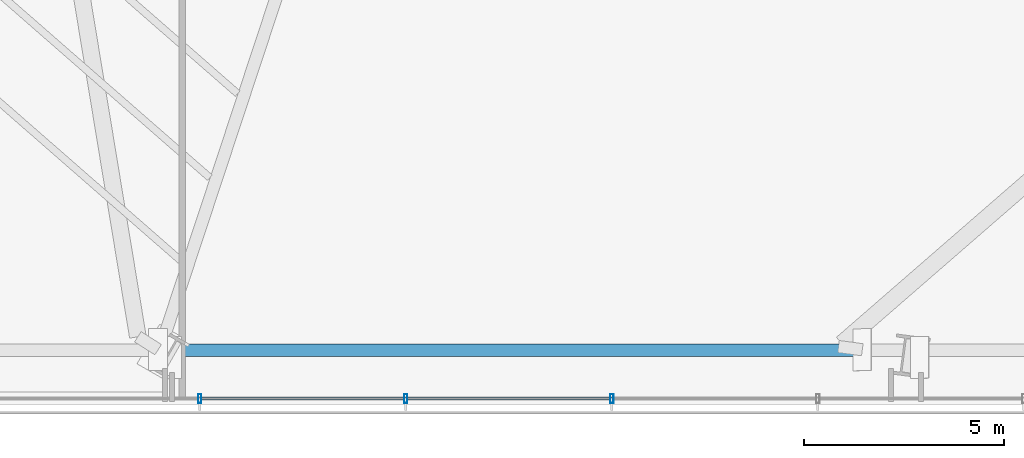
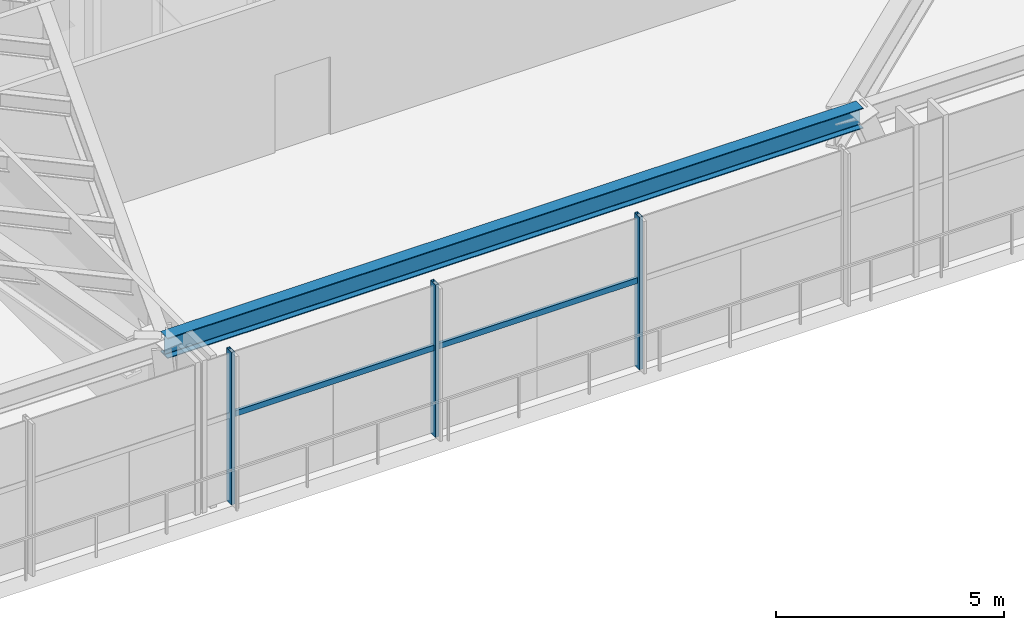
# One storey, part 6 of 36: 5 members, 1 beam, 1 element without a shape of its own.
"""IFC4 building model written with IfcOpenShell, lengths in metres."""

from ifc_helpers import new_model, si_unit, direction, frame, origin, origin_2d, place, context, subcontext, project, spatial, hollow_rectangle, i_section, extrude, source, transform, mapped, material, material_profile, profile_set, type_object, type_shapes, element, aggregate, save


model = new_model("IFC4")

# Units and contexts
model_context = context("Model", 3, precision=1e-05, world=origin(), true_north=direction((0.0, 1.0)))
body_context = subcontext(model_context, "Body", "Model", "MODEL_VIEW")
ifc_project = project(units=[si_unit("LENGTHUNIT", "METRE"), si_unit("AREAUNIT", "SQUARE_METRE"), si_unit("VOLUMEUNIT", "CUBIC_METRE"), si_unit("PLANEANGLEUNIT", "RADIAN"), si_unit("MASSUNIT", "GRAM", prefix="KILO")], contexts=[model_context])

# Site, building, storey
site_placement = place(None, origin())
site = spatial("IfcSite", under=ifc_project, at=site_placement, CompositionType="ELEMENT")
building_placement = place(site_placement, origin())
building = spatial("IfcBuilding", under=site, at=building_placement, Name="Astriad Promenade Condominiums", CompositionType="ELEMENT")
storey_placement = place(building_placement, frame((0.0, 0.0, 5.0)))
storey = spatial("IfcBuildingStorey", under=building, at=storey_placement, Name="L01", CompositionType="ELEMENT", Elevation=5.0)

# Beam
ifc_material_1 = material(Name="Steel ASTM A992 Grade 50", Category="steel")
ifc_material_profile_1 = material_profile(ifc_material_1, i_section(OverallWidth=0.3134765625, OverallDepth=0.54638671875, WebThickness=0.013916015625, FlangeThickness=0.022216796875, FilletRadius=0.0166015625, at=origin_2d()), Name="W21X111")
ifc_profile_set_1 = profile_set([ifc_material_profile_1], Name="Steel ASTM A992 Grade 50")
beam_type = type_object("IfcBeamType", Name="STEEL SPANDREL BEAM W21X111", PredefinedType="SPANDREL", material=ifc_profile_set_1)
shared_shape_1 = source(origin(), body_context, "Body", "SweptSolid", [
    extrude(i_section(OverallWidth=0.3134765625, OverallDepth=0.54638671875, WebThickness=0.013916015625, FlangeThickness=0.022216796875, FilletRadius=0.0166015625, at=origin_2d()), origin(), (0.0, 0.0, 1.0), 17.60693359375),
])
type_shapes(beam_type, [shared_shape_1])
beam_placement = place(storey_placement, frame((21.45361328125, 2.36669921875, 3.806884765625), z_axis=(1.0, 0.0, 0.0), x_axis=(0.0, 1.0, 0.0)))
element("IfcBeam", 1, at=beam_placement, inside=storey, type_object=beam_type, Name="Perimeter Spandrel Beam SP-S2-L01", PredefinedType="SPANDREL", context=body_context, shape_type="MappedRepresentation", body=[
    mapped(shared_shape_1, transform((0.0, 0.0, 0.0), scale=1.0)),
])

# Curtain wall, members
ifc_material_2 = material(Name="Anodised aluminium Black Dark Glass Unitised", Category="aluminium")
curtain_wall_type = type_object("IfcCurtainWallType", Name="CW-POD-DARK", PredefinedType="USERDEFINED", material=ifc_material_2)
curtain_wall_placement = place(storey_placement, origin())
curtain_wall = element("IfcCurtainWall", 2, at=curtain_wall_placement, inside=storey, type_object=curtain_wall_type, Name="CW-L01-S", ObjectType="UNITISED_CURTAIN_WALL", PredefinedType="USERDEFINED")
ifc_material_3 = material(Name="Anodised aluminium 6063-T6 Black", Category="aluminium")
ifc_material_profile_2 = material_profile(ifc_material_3, hollow_rectangle(XDim=0.0849609375, YDim=0.219970703125, WallThickness=0.0048828125, at=origin_2d()), Name="ALU-MUL-85X220")
ifc_profile_set_2 = profile_set([ifc_material_profile_2], Name="Anodised aluminium 6063-T6 Black")
member_type_1 = type_object("IfcMemberType", Name="MUL-ALU-MUL-85X220", PredefinedType="MULLION", material=ifc_profile_set_2)
shared_shape_2 = source(origin(), body_context, "Body", "SweptSolid", [
    extrude(hollow_rectangle(XDim=0.0849609375, YDim=0.219970703125, WallThickness=0.0048828125, at=origin_2d()), origin(), (0.0, 0.0, 1.0), 4.080078125),
])
type_shapes(member_type_1, [shared_shape_2])
member_1_placement = place(storey_placement, frame((32.7578125, 1.14990234375, 0.0), z_axis=(0.0, 0.0, 1.0), x_axis=(1.0, 0.0, 0.0)))
member_1 = element("IfcMember", 3, at=member_1_placement, type_object=member_type_1, Name="CW-L01-S-MUL-08", PredefinedType="MULLION", context=body_context, shape_type="MappedRepresentation", body=[
    mapped(shared_shape_2, transform((0.0, 0.0, 0.0), scale=1.0)),
])
member_2_placement = place(storey_placement, frame((27.59619140625, 1.14990234375, 0.0), z_axis=(0.0, 0.0, 1.0), x_axis=(1.0, 0.0, 0.0)))
member_2 = element("IfcMember", 4, at=member_2_placement, type_object=member_type_1, Name="CW-L01-S-MUL-09", PredefinedType="MULLION", context=body_context, shape_type="MappedRepresentation", body=[
    mapped(shared_shape_2, transform((0.0, 0.0, 0.0), scale=1.0)),
])
member_3_placement = place(storey_placement, frame((22.4345703125, 1.14990234375, 0.0), z_axis=(0.0, 0.0, 1.0), x_axis=(1.0, 0.0, 0.0)))
member_3 = element("IfcMember", 5, at=member_3_placement, type_object=member_type_1, Name="CW-L01-S-MUL-10", PredefinedType="MULLION", context=body_context, shape_type="MappedRepresentation", body=[
    mapped(shared_shape_2, transform((0.0, 0.0, 0.0), scale=1.0)),
])
ifc_material_profile_3 = material_profile(ifc_material_3, hollow_rectangle(XDim=0.074951171875, YDim=0.14990234375, WallThickness=0.004150390625, at=origin_2d()), Name="ALU-TRN-75X150")
ifc_profile_set_3 = profile_set([ifc_material_profile_3], Name="Anodised aluminium 6063-T6 Black")
member_type_2 = type_object("IfcMemberType", Name="TRN-ALU-TRN-75X150", PredefinedType="USERDEFINED", material=ifc_profile_set_3)
shared_shape_3 = source(origin(), body_context, "Body", "SweptSolid", [
    extrude(hollow_rectangle(XDim=0.074951171875, YDim=0.14990234375, WallThickness=0.004150390625, at=origin_2d()), origin(), (0.0, 0.0, 1.0), 5.16162109375),
])
type_shapes(member_type_2, [shared_shape_3])
member_4_placement = place(storey_placement, frame((32.7578125, 1.14990234375, 2.35009765625), z_axis=(-1.0, 0.0, 0.0), x_axis=(0.0, -1.0, 0.0)))
member_4 = element("IfcMember", 6, at=member_4_placement, type_object=member_type_2, Name="CW-L01-S-TRN-08-0", ObjectType="TRANSOM", PredefinedType="USERDEFINED", context=body_context, shape_type="MappedRepresentation", body=[
    mapped(shared_shape_3, transform((0.0, 0.0, 0.0), scale=1.0)),
])
member_5_placement = place(storey_placement, frame((27.59619140625, 1.14990234375, 2.35009765625), z_axis=(-1.0, 0.0, 0.0), x_axis=(0.0, -1.0, 0.0)))
member_5 = element("IfcMember", 7, at=member_5_placement, type_object=member_type_2, Name="CW-L01-S-TRN-09-0", ObjectType="TRANSOM", PredefinedType="USERDEFINED", context=body_context, shape_type="MappedRepresentation", body=[
    mapped(shared_shape_3, transform((0.0, 0.0, 0.0), scale=1.0)),
])
aggregate(curtain_wall, [member_1, member_2, member_3, member_4, member_5])

save(model, "model.ifc")
